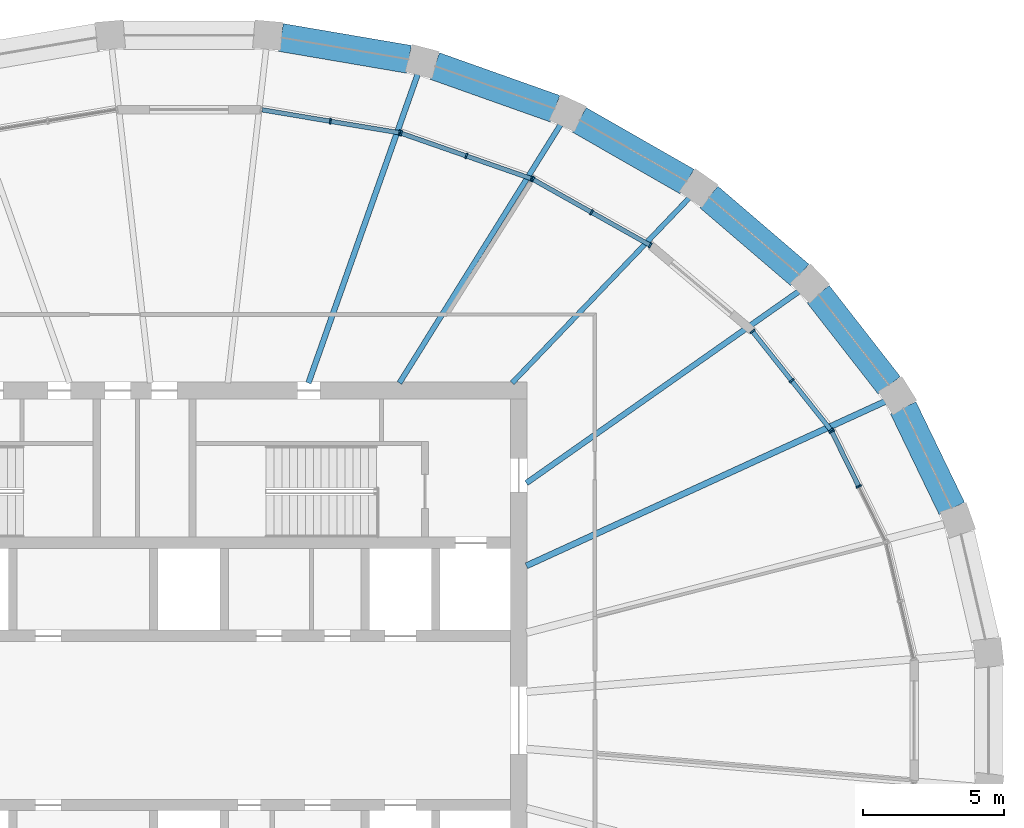
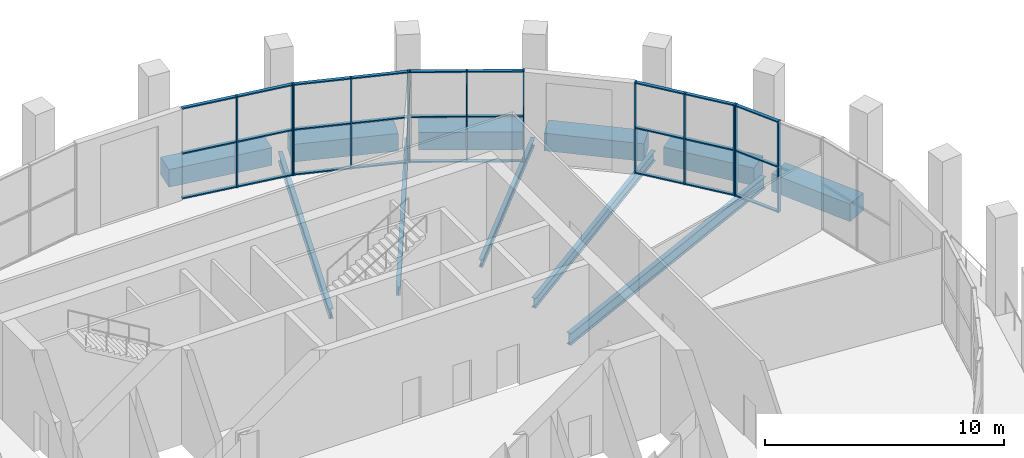
# One storey, part 7 of 15: 40 members, 11 beams, 5 elements without a shape of their own.
"""IFC4 building model written with IfcOpenShell, lengths in metres."""

from ifc_helpers import new_model, si_unit, direction, frame, origin, origin_2d, place, context, subcontext, project, spatial, rectangle, i_section, extrude, material, material_profile, profile_set, type_object, element, aggregate, save


model = new_model("IFC4")

# Units and contexts
model_context = context("Model", 3, precision=1e-05, world=origin(), true_north=direction((0.0, 1.0)))
body_context = subcontext(model_context, "Body", "Model", "MODEL_VIEW")
ifc_project = project(units=[si_unit("LENGTHUNIT", "METRE"), si_unit("AREAUNIT", "SQUARE_METRE"), si_unit("VOLUMEUNIT", "CUBIC_METRE"), si_unit("PLANEANGLEUNIT", "RADIAN"), si_unit("MASSUNIT", "GRAM", prefix="KILO")], contexts=[model_context])

# Site, building, storey
site_placement = place(None, origin())
site = spatial("IfcSite", under=ifc_project, at=site_placement, CompositionType="ELEMENT")
building_placement = place(site_placement, origin())
building = spatial("IfcBuilding", under=site, at=building_placement, Name="Halqa Exchange Tower", CompositionType="ELEMENT")
storey_placement = place(building_placement, frame((0.0, 0.0, 338.300048828125)))
storey = spatial("IfcBuildingStorey", under=building, at=storey_placement, Name="L79", CompositionType="ELEMENT", Elevation=338.300048828125)

# Curtain wall, members
ifc_material_1 = material(Name="Anodised aluminium and clear glass", Category="aluminium")
curtain_wall_type = type_object("IfcCurtainWallType", Name="Executive floor glazing", PredefinedType="NOTDEFINED", material=ifc_material_1)
curtain_wall_1_placement = place(storey_placement, origin())
curtain_wall_1 = element("IfcCurtainWall", 1, at=curtain_wall_1_placement, inside=storey, type_object=curtain_wall_type, Name="Executive floor glazing run G2", PredefinedType="NOTDEFINED")
ifc_material_2 = material(Name="Anodised aluminium", Category="aluminium")
ifc_material_profile_1 = material_profile(ifc_material_2, rectangle(XDim=0.199951171875, YDim=0.06005859375, at=origin_2d()), Name="AL 60x200")
ifc_profile_set_1 = profile_set([ifc_material_profile_1], Name="Anodised aluminium")
member_type_1 = type_object("IfcMemberType", Name="Executive floor glazing mullion 60 x 200", PredefinedType="MULLION", material=ifc_profile_set_1)
member_1_placement = place(storey_placement, frame((23.76416015625, 8.302978515625, 0.0), z_axis=(0.0, 0.0, 1.0), x_axis=(-0.897214741349, -0.441594506199, 0.0)))
member_1 = element("IfcMember", 2, at=member_1_placement, type_object=member_type_1, Name="G2 mullion 2", PredefinedType="MULLION", context=body_context, shape_type="SweptSolid", body=[
    extrude(rectangle(XDim=0.199951171875, YDim=0.06005859375, at=origin_2d()), origin(), (0.0, 0.0, 1.0), 4.64990234375),
])
member_2_placement = place(storey_placement, frame((22.80615234375, 10.24951171875, 0.0), z_axis=(0.0, 0.0, 1.0), x_axis=(-0.897214741349, -0.441594506199, 0.0)))
member_2 = element("IfcMember", 3, at=member_2_placement, type_object=member_type_1, Name="G2 mullion 3", PredefinedType="MULLION", context=body_context, shape_type="SweptSolid", body=[
    extrude(rectangle(XDim=0.199951171875, YDim=0.06005859375, at=origin_2d()), origin(), (0.0, 0.0, 1.0), 4.64990234375),
])

curtain_wall_2_placement = place(storey_placement, origin())
curtain_wall_2 = element("IfcCurtainWall", 4, at=curtain_wall_2_placement, inside=storey, type_object=curtain_wall_type, Name="Executive floor glazing run G3", PredefinedType="NOTDEFINED")
member_3_placement = place(storey_placement, frame((22.774169921875, 10.2998046875, 0.0), z_axis=(0.0, 0.0, 1.0), x_axis=(-0.783162355834, -0.621817275737, 0.0)))
member_3 = element("IfcMember", 5, at=member_3_placement, type_object=member_type_1, Name="G3 mullion 1", PredefinedType="MULLION", context=body_context, shape_type="SweptSolid", body=[
    extrude(rectangle(XDim=0.199951171875, YDim=0.06005859375, at=origin_2d()), origin(), (0.0, 0.0, 1.0), 4.64990234375),
])
member_4_placement = place(storey_placement, frame((21.3837890625, 12.05126953125, 0.0), z_axis=(0.0, 0.0, 1.0), x_axis=(-0.783162355834, -0.621817275737, 0.0)))
member_4 = element("IfcMember", 6, at=member_4_placement, type_object=member_type_1, Name="G3 mullion 2", PredefinedType="MULLION", context=body_context, shape_type="SweptSolid", body=[
    extrude(rectangle(XDim=0.199951171875, YDim=0.06005859375, at=origin_2d()), origin(), (0.0, 0.0, 1.0), 4.64990234375),
])
member_5_placement = place(storey_placement, frame((19.9931640625, 13.802490234375, 0.0), z_axis=(0.0, 0.0, 1.0), x_axis=(-0.783162355834, -0.621817275737, 0.0)))
member_5 = element("IfcMember", 7, at=member_5_placement, type_object=member_type_1, Name="G3 mullion 3", PredefinedType="MULLION", context=body_context, shape_type="SweptSolid", body=[
    extrude(rectangle(XDim=0.199951171875, YDim=0.06005859375, at=origin_2d()), origin(), (0.0, 0.0, 1.0), 4.64990234375),
])

curtain_wall_3_placement = place(storey_placement, origin())
curtain_wall_3 = element("IfcCurtainWall", 8, at=curtain_wall_3_placement, inside=storey, type_object=curtain_wall_type, Name="Executive floor glazing run G5", PredefinedType="NOTDEFINED")
member_6_placement = place(storey_placement, frame((16.363525390625, 16.857666015625, 0.0), z_axis=(0.0, 0.0, 1.0), x_axis=(-0.490158094997, -0.871633547948, 0.0)))
member_6 = element("IfcMember", 9, at=member_6_placement, type_object=member_type_1, Name="G5 mullion 1", PredefinedType="MULLION", context=body_context, shape_type="SweptSolid", body=[
    extrude(rectangle(XDim=0.199951171875, YDim=0.06005859375, at=origin_2d()), origin(), (0.0, 0.0, 1.0), 4.64990234375),
])
member_7_placement = place(storey_placement, frame((14.283203125, 18.02734375, 0.0), z_axis=(0.0, 0.0, 1.0), x_axis=(-0.490158094997, -0.871633547948, 0.0)))
member_7 = element("IfcMember", 10, at=member_7_placement, type_object=member_type_1, Name="G5 mullion 2", PredefinedType="MULLION", context=body_context, shape_type="SweptSolid", body=[
    extrude(rectangle(XDim=0.199951171875, YDim=0.06005859375, at=origin_2d()), origin(), (0.0, 0.0, 1.0), 4.64990234375),
])
member_8_placement = place(storey_placement, frame((12.202880859375, 19.197265625, 0.0), z_axis=(0.0, 0.0, 1.0), x_axis=(-0.490158094997, -0.871633547948, 0.0)))
member_8 = element("IfcMember", 11, at=member_8_placement, type_object=member_type_1, Name="G5 mullion 3", PredefinedType="MULLION", context=body_context, shape_type="SweptSolid", body=[
    extrude(rectangle(XDim=0.199951171875, YDim=0.06005859375, at=origin_2d()), origin(), (0.0, 0.0, 1.0), 4.64990234375),
])

curtain_wall_4_placement = place(storey_placement, origin())
curtain_wall_4 = element("IfcCurtainWall", 12, at=curtain_wall_4_placement, inside=storey, type_object=curtain_wall_type, Name="Executive floor glazing run G6", PredefinedType="NOTDEFINED")
member_9_placement = place(storey_placement, frame((12.1484375, 19.221923828125, 0.0), z_axis=(0.0, 0.0, 1.0), x_axis=(-0.329160021888, -0.9442741551, 0.0)))
member_9 = element("IfcMember", 13, at=member_9_placement, type_object=member_type_1, Name="G6 mullion 1", PredefinedType="MULLION", context=body_context, shape_type="SweptSolid", body=[
    extrude(rectangle(XDim=0.199951171875, YDim=0.06005859375, at=origin_2d()), origin(), (0.0, 0.0, 1.0), 4.64990234375),
])
member_10_placement = place(storey_placement, frame((9.837158203125, 20.027587890625, 0.0), z_axis=(0.0, 0.0, 1.0), x_axis=(-0.329160021888, -0.9442741551, 0.0)))
member_10 = element("IfcMember", 14, at=member_10_placement, type_object=member_type_1, Name="G6 mullion 2", PredefinedType="MULLION", context=body_context, shape_type="SweptSolid", body=[
    extrude(rectangle(XDim=0.199951171875, YDim=0.06005859375, at=origin_2d()), origin(), (0.0, 0.0, 1.0), 4.64990234375),
])
member_11_placement = place(storey_placement, frame((7.52587890625, 20.833251953125, 0.0), z_axis=(0.0, 0.0, 1.0), x_axis=(-0.329160021888, -0.9442741551, 0.0)))
member_11 = element("IfcMember", 15, at=member_11_placement, type_object=member_type_1, Name="G6 mullion 3", PredefinedType="MULLION", context=body_context, shape_type="SweptSolid", body=[
    extrude(rectangle(XDim=0.199951171875, YDim=0.06005859375, at=origin_2d()), origin(), (0.0, 0.0, 1.0), 4.64990234375),
])

curtain_wall_5_placement = place(storey_placement, origin())
curtain_wall_5 = element("IfcCurtainWall", 16, at=curtain_wall_5_placement, inside=storey, type_object=curtain_wall_type, Name="Executive floor glazing run G7", PredefinedType="NOTDEFINED")
member_12_placement = place(storey_placement, frame((7.468017578125, 20.84814453125, 0.0), z_axis=(0.0, 0.0, 1.0), x_axis=(-0.165117129007, -0.986273964834, 0.0)))
member_12 = element("IfcMember", 17, at=member_12_placement, type_object=member_type_1, Name="G7 mullion 1", PredefinedType="MULLION", context=body_context, shape_type="SweptSolid", body=[
    extrude(rectangle(XDim=0.199951171875, YDim=0.06005859375, at=origin_2d()), origin(), (0.0, 0.0, 1.0), 4.64990234375),
])
member_13_placement = place(storey_placement, frame((5.0146484375, 21.2587890625, 0.0), z_axis=(0.0, 0.0, 1.0), x_axis=(-0.165117129007, -0.986273964834, 0.0)))
member_13 = element("IfcMember", 18, at=member_13_placement, type_object=member_type_1, Name="G7 mullion 2", PredefinedType="MULLION", context=body_context, shape_type="SweptSolid", body=[
    extrude(rectangle(XDim=0.199951171875, YDim=0.06005859375, at=origin_2d()), origin(), (0.0, 0.0, 1.0), 4.64990234375),
])

# Member
ifc_material_profile_2 = material_profile(ifc_material_2, rectangle(XDim=0.159912109375, YDim=0.06005859375, at=origin_2d()), Name="AL 60x160")
ifc_profile_set_2 = profile_set([ifc_material_profile_2], Name="Anodised aluminium")
member_type_2 = type_object("IfcMemberType", Name="Executive floor glazing transom 60 x 160", PredefinedType="USERDEFINED", material=ifc_profile_set_2)
member_14_placement = place(storey_placement, frame((23.7509765625, 8.329833984375, 0.030029296875), z_axis=(-0.441603772589, 0.897210180524, 0.0), x_axis=(-0.897210180524, -0.441603772589, 0.0)))
member_14 = element("IfcMember", 19, at=member_14_placement, type_object=member_type_2, Name="G2 transom 2.1", ObjectType="TRANSOM", PredefinedType="USERDEFINED", context=body_context, shape_type="SweptSolid", body=[
    extrude(rectangle(XDim=0.159912109375, YDim=0.06005859375, at=origin_2d()), origin(), (0.0, 0.0, 1.0), 2.109619140625),
])

member_15_placement = place(storey_placement, frame((23.7509765625, 8.329833984375, 2.324951171875), z_axis=(-0.441603772589, 0.897210180524, 0.0), x_axis=(-0.897210180524, -0.441603772589, 0.0)))
member_15 = element("IfcMember", 20, at=member_15_placement, type_object=member_type_2, Name="G2 transom 2.2", ObjectType="TRANSOM", PredefinedType="USERDEFINED", context=body_context, shape_type="SweptSolid", body=[
    extrude(rectangle(XDim=0.159912109375, YDim=0.06005859375, at=origin_2d()), origin(), (0.0, 0.0, 1.0), 2.109619140625),
])

member_16_placement = place(storey_placement, frame((23.7509765625, 8.329833984375, 4.619873046875), z_axis=(-0.441603772589, 0.897210180524, 0.0), x_axis=(-0.897210180524, -0.441603772589, 0.0)))
member_16 = element("IfcMember", 21, at=member_16_placement, type_object=member_type_2, Name="G2 transom 2.3", ObjectType="TRANSOM", PredefinedType="USERDEFINED", context=body_context, shape_type="SweptSolid", body=[
    extrude(rectangle(XDim=0.159912109375, YDim=0.06005859375, at=origin_2d()), origin(), (0.0, 0.0, 1.0), 2.109619140625),
])

aggregate(curtain_wall_1, [member_1, member_2, member_14, member_15, member_16])

member_17_placement = place(storey_placement, frame((22.755615234375, 10.323486328125, 0.030029296875), z_axis=(-0.621831555709, 0.783151017572, 0.0), x_axis=(-0.783151017572, -0.621831555709, 0.0)))
member_17 = element("IfcMember", 22, at=member_17_placement, type_object=member_type_2, Name="G3 transom 1.1", ObjectType="TRANSOM", PredefinedType="USERDEFINED", context=body_context, shape_type="SweptSolid", body=[
    extrude(rectangle(XDim=0.159912109375, YDim=0.06005859375, at=origin_2d()), origin(), (0.0, 0.0, 1.0), 2.17626953125),
])

member_18_placement = place(storey_placement, frame((22.755615234375, 10.323486328125, 2.324951171875), z_axis=(-0.621831555709, 0.783151017572, 0.0), x_axis=(-0.783151017572, -0.621831555709, 0.0)))
member_18 = element("IfcMember", 23, at=member_18_placement, type_object=member_type_2, Name="G3 transom 1.2", ObjectType="TRANSOM", PredefinedType="USERDEFINED", context=body_context, shape_type="SweptSolid", body=[
    extrude(rectangle(XDim=0.159912109375, YDim=0.06005859375, at=origin_2d()), origin(), (0.0, 0.0, 1.0), 2.17626953125),
])

member_19_placement = place(storey_placement, frame((22.755615234375, 10.323486328125, 4.619873046875), z_axis=(-0.621831555709, 0.783151017572, 0.0), x_axis=(-0.783151017572, -0.621831555709, 0.0)))
member_19 = element("IfcMember", 24, at=member_19_placement, type_object=member_type_2, Name="G3 transom 1.3", ObjectType="TRANSOM", PredefinedType="USERDEFINED", context=body_context, shape_type="SweptSolid", body=[
    extrude(rectangle(XDim=0.159912109375, YDim=0.06005859375, at=origin_2d()), origin(), (0.0, 0.0, 1.0), 2.17626953125),
])

member_20_placement = place(storey_placement, frame((21.364990234375, 12.07470703125, 0.030029296875), z_axis=(-0.621831555709, 0.783151017572, 0.0), x_axis=(-0.783151017572, -0.621831555709, 0.0)))
member_20 = element("IfcMember", 25, at=member_20_placement, type_object=member_type_2, Name="G3 transom 2.1", ObjectType="TRANSOM", PredefinedType="USERDEFINED", context=body_context, shape_type="SweptSolid", body=[
    extrude(rectangle(XDim=0.159912109375, YDim=0.06005859375, at=origin_2d()), origin(), (0.0, 0.0, 1.0), 2.17626953125),
])

member_21_placement = place(storey_placement, frame((21.364990234375, 12.07470703125, 2.324951171875), z_axis=(-0.621831555709, 0.783151017572, 0.0), x_axis=(-0.783151017572, -0.621831555709, 0.0)))
member_21 = element("IfcMember", 26, at=member_21_placement, type_object=member_type_2, Name="G3 transom 2.2", ObjectType="TRANSOM", PredefinedType="USERDEFINED", context=body_context, shape_type="SweptSolid", body=[
    extrude(rectangle(XDim=0.159912109375, YDim=0.06005859375, at=origin_2d()), origin(), (0.0, 0.0, 1.0), 2.17626953125),
])

member_22_placement = place(storey_placement, frame((21.364990234375, 12.07470703125, 4.619873046875), z_axis=(-0.621831555709, 0.783151017572, 0.0), x_axis=(-0.783151017572, -0.621831555709, 0.0)))
member_22 = element("IfcMember", 27, at=member_22_placement, type_object=member_type_2, Name="G3 transom 2.3", ObjectType="TRANSOM", PredefinedType="USERDEFINED", context=body_context, shape_type="SweptSolid", body=[
    extrude(rectangle(XDim=0.159912109375, YDim=0.06005859375, at=origin_2d()), origin(), (0.0, 0.0, 1.0), 2.17626953125),
])

aggregate(curtain_wall_2, [member_3, member_4, member_5, member_17, member_18, member_19, member_20, member_21, member_22])

member_23_placement = place(storey_placement, frame((16.33740234375, 16.872314453125, 0.030029296875), z_axis=(-0.871651188235, 0.490126724479, 0.0), x_axis=(-0.490126724479, -0.871651188235, 0.0)))
member_23 = element("IfcMember", 28, at=member_23_placement, type_object=member_type_2, Name="G5 transom 1.1", ObjectType="TRANSOM", PredefinedType="USERDEFINED", context=body_context, shape_type="SweptSolid", body=[
    extrude(rectangle(XDim=0.159912109375, YDim=0.06005859375, at=origin_2d()), origin(), (0.0, 0.0, 1.0), 2.32666015625),
])

member_24_placement = place(storey_placement, frame((16.33740234375, 16.872314453125, 2.324951171875), z_axis=(-0.871651188235, 0.490126724479, 0.0), x_axis=(-0.490126724479, -0.871651188235, 0.0)))
member_24 = element("IfcMember", 29, at=member_24_placement, type_object=member_type_2, Name="G5 transom 1.2", ObjectType="TRANSOM", PredefinedType="USERDEFINED", context=body_context, shape_type="SweptSolid", body=[
    extrude(rectangle(XDim=0.159912109375, YDim=0.06005859375, at=origin_2d()), origin(), (0.0, 0.0, 1.0), 2.32666015625),
])

member_25_placement = place(storey_placement, frame((16.33740234375, 16.872314453125, 4.619873046875), z_axis=(-0.871651188235, 0.490126724479, 0.0), x_axis=(-0.490126724479, -0.871651188235, 0.0)))
member_25 = element("IfcMember", 30, at=member_25_placement, type_object=member_type_2, Name="G5 transom 1.3", ObjectType="TRANSOM", PredefinedType="USERDEFINED", context=body_context, shape_type="SweptSolid", body=[
    extrude(rectangle(XDim=0.159912109375, YDim=0.06005859375, at=origin_2d()), origin(), (0.0, 0.0, 1.0), 2.32666015625),
])

member_26_placement = place(storey_placement, frame((14.257080078125, 18.042236328125, 0.030029296875), z_axis=(-0.871651188235, 0.490126724479, 0.0), x_axis=(-0.490126724479, -0.871651188235, 0.0)))
member_26 = element("IfcMember", 31, at=member_26_placement, type_object=member_type_2, Name="G5 transom 2.1", ObjectType="TRANSOM", PredefinedType="USERDEFINED", context=body_context, shape_type="SweptSolid", body=[
    extrude(rectangle(XDim=0.159912109375, YDim=0.06005859375, at=origin_2d()), origin(), (0.0, 0.0, 1.0), 2.32666015625),
])

member_27_placement = place(storey_placement, frame((14.257080078125, 18.042236328125, 2.324951171875), z_axis=(-0.871651188235, 0.490126724479, 0.0), x_axis=(-0.490126724479, -0.871651188235, 0.0)))
member_27 = element("IfcMember", 32, at=member_27_placement, type_object=member_type_2, Name="G5 transom 2.2", ObjectType="TRANSOM", PredefinedType="USERDEFINED", context=body_context, shape_type="SweptSolid", body=[
    extrude(rectangle(XDim=0.159912109375, YDim=0.06005859375, at=origin_2d()), origin(), (0.0, 0.0, 1.0), 2.32666015625),
])

member_28_placement = place(storey_placement, frame((14.257080078125, 18.042236328125, 4.619873046875), z_axis=(-0.871651188235, 0.490126724479, 0.0), x_axis=(-0.490126724479, -0.871651188235, 0.0)))
member_28 = element("IfcMember", 33, at=member_28_placement, type_object=member_type_2, Name="G5 transom 2.3", ObjectType="TRANSOM", PredefinedType="USERDEFINED", context=body_context, shape_type="SweptSolid", body=[
    extrude(rectangle(XDim=0.159912109375, YDim=0.06005859375, at=origin_2d()), origin(), (0.0, 0.0, 1.0), 2.32666015625),
])

aggregate(curtain_wall_3, [member_6, member_7, member_8, member_23, member_24, member_25, member_26, member_27, member_28])

member_29_placement = place(storey_placement, frame((12.1201171875, 19.231689453125, 0.030029296875), z_axis=(-0.9442800212, 0.329143193096, 0.0), x_axis=(-0.329143193096, -0.9442800212, 0.0)))
member_29 = element("IfcMember", 34, at=member_29_placement, type_object=member_type_2, Name="G6 transom 1.1", ObjectType="TRANSOM", PredefinedType="USERDEFINED", context=body_context, shape_type="SweptSolid", body=[
    extrude(rectangle(XDim=0.159912109375, YDim=0.06005859375, at=origin_2d()), origin(), (0.0, 0.0, 1.0), 2.3876953125),
])

member_30_placement = place(storey_placement, frame((12.1201171875, 19.231689453125, 2.324951171875), z_axis=(-0.9442800212, 0.329143193096, 0.0), x_axis=(-0.329143193096, -0.9442800212, 0.0)))
member_30 = element("IfcMember", 35, at=member_30_placement, type_object=member_type_2, Name="G6 transom 1.2", ObjectType="TRANSOM", PredefinedType="USERDEFINED", context=body_context, shape_type="SweptSolid", body=[
    extrude(rectangle(XDim=0.159912109375, YDim=0.06005859375, at=origin_2d()), origin(), (0.0, 0.0, 1.0), 2.3876953125),
])

member_31_placement = place(storey_placement, frame((12.1201171875, 19.231689453125, 4.619873046875), z_axis=(-0.9442800212, 0.329143193096, 0.0), x_axis=(-0.329143193096, -0.9442800212, 0.0)))
member_31 = element("IfcMember", 36, at=member_31_placement, type_object=member_type_2, Name="G6 transom 1.3", ObjectType="TRANSOM", PredefinedType="USERDEFINED", context=body_context, shape_type="SweptSolid", body=[
    extrude(rectangle(XDim=0.159912109375, YDim=0.06005859375, at=origin_2d()), origin(), (0.0, 0.0, 1.0), 2.3876953125),
])

member_32_placement = place(storey_placement, frame((9.808837890625, 20.037353515625, 0.030029296875), z_axis=(-0.9442800212, 0.329143193096, 0.0), x_axis=(-0.329143193096, -0.9442800212, 0.0)))
member_32 = element("IfcMember", 37, at=member_32_placement, type_object=member_type_2, Name="G6 transom 2.1", ObjectType="TRANSOM", PredefinedType="USERDEFINED", context=body_context, shape_type="SweptSolid", body=[
    extrude(rectangle(XDim=0.159912109375, YDim=0.06005859375, at=origin_2d()), origin(), (0.0, 0.0, 1.0), 2.3876953125),
])

member_33_placement = place(storey_placement, frame((9.808837890625, 20.037353515625, 2.324951171875), z_axis=(-0.9442800212, 0.329143193096, 0.0), x_axis=(-0.329143193096, -0.9442800212, 0.0)))
member_33 = element("IfcMember", 38, at=member_33_placement, type_object=member_type_2, Name="G6 transom 2.2", ObjectType="TRANSOM", PredefinedType="USERDEFINED", context=body_context, shape_type="SweptSolid", body=[
    extrude(rectangle(XDim=0.159912109375, YDim=0.06005859375, at=origin_2d()), origin(), (0.0, 0.0, 1.0), 2.3876953125),
])

member_34_placement = place(storey_placement, frame((9.808837890625, 20.037353515625, 4.619873046875), z_axis=(-0.9442800212, 0.329143193096, 0.0), x_axis=(-0.329143193096, -0.9442800212, 0.0)))
member_34 = element("IfcMember", 39, at=member_34_placement, type_object=member_type_2, Name="G6 transom 2.3", ObjectType="TRANSOM", PredefinedType="USERDEFINED", context=body_context, shape_type="SweptSolid", body=[
    extrude(rectangle(XDim=0.159912109375, YDim=0.06005859375, at=origin_2d()), origin(), (0.0, 0.0, 1.0), 2.3876953125),
])

aggregate(curtain_wall_4, [member_9, member_10, member_11, member_29, member_30, member_31, member_32, member_33, member_34])

member_35_placement = place(storey_placement, frame((7.4384765625, 20.85302734375, 0.030029296875), z_axis=(-0.986271338279, 0.165132817116, 0.0), x_axis=(-0.165132817116, -0.986271338279, 0.0)))
member_35 = element("IfcMember", 40, at=member_35_placement, type_object=member_type_2, Name="G7 transom 1.1", ObjectType="TRANSOM", PredefinedType="USERDEFINED", context=body_context, shape_type="SweptSolid", body=[
    extrude(rectangle(XDim=0.159912109375, YDim=0.06005859375, at=origin_2d()), origin(), (0.0, 0.0, 1.0), 2.427734375),
])

member_36_placement = place(storey_placement, frame((7.4384765625, 20.85302734375, 2.324951171875), z_axis=(-0.986271338279, 0.165132817116, 0.0), x_axis=(-0.165132817116, -0.986271338279, 0.0)))
member_36 = element("IfcMember", 41, at=member_36_placement, type_object=member_type_2, Name="G7 transom 1.2", ObjectType="TRANSOM", PredefinedType="USERDEFINED", context=body_context, shape_type="SweptSolid", body=[
    extrude(rectangle(XDim=0.159912109375, YDim=0.06005859375, at=origin_2d()), origin(), (0.0, 0.0, 1.0), 2.427734375),
])

member_37_placement = place(storey_placement, frame((7.4384765625, 20.85302734375, 4.619873046875), z_axis=(-0.986271338279, 0.165132817116, 0.0), x_axis=(-0.165132817116, -0.986271338279, 0.0)))
member_37 = element("IfcMember", 42, at=member_37_placement, type_object=member_type_2, Name="G7 transom 1.3", ObjectType="TRANSOM", PredefinedType="USERDEFINED", context=body_context, shape_type="SweptSolid", body=[
    extrude(rectangle(XDim=0.159912109375, YDim=0.06005859375, at=origin_2d()), origin(), (0.0, 0.0, 1.0), 2.427734375),
])

member_38_placement = place(storey_placement, frame((4.98486328125, 21.263671875, 0.030029296875), z_axis=(-0.986271338279, 0.165132817116, 0.0), x_axis=(-0.165132817116, -0.986271338279, 0.0)))
member_38 = element("IfcMember", 43, at=member_38_placement, type_object=member_type_2, Name="G7 transom 2.1", ObjectType="TRANSOM", PredefinedType="USERDEFINED", context=body_context, shape_type="SweptSolid", body=[
    extrude(rectangle(XDim=0.159912109375, YDim=0.06005859375, at=origin_2d()), origin(), (0.0, 0.0, 1.0), 2.427734375),
])

member_39_placement = place(storey_placement, frame((4.98486328125, 21.263671875, 2.324951171875), z_axis=(-0.986271338279, 0.165132817116, 0.0), x_axis=(-0.165132817116, -0.986271338279, 0.0)))
member_39 = element("IfcMember", 44, at=member_39_placement, type_object=member_type_2, Name="G7 transom 2.2", ObjectType="TRANSOM", PredefinedType="USERDEFINED", context=body_context, shape_type="SweptSolid", body=[
    extrude(rectangle(XDim=0.159912109375, YDim=0.06005859375, at=origin_2d()), origin(), (0.0, 0.0, 1.0), 2.427734375),
])

member_40_placement = place(storey_placement, frame((4.98486328125, 21.263671875, 4.619873046875), z_axis=(-0.986271338279, 0.165132817116, 0.0), x_axis=(-0.165132817116, -0.986271338279, 0.0)))
member_40 = element("IfcMember", 45, at=member_40_placement, type_object=member_type_2, Name="G7 transom 2.3", ObjectType="TRANSOM", PredefinedType="USERDEFINED", context=body_context, shape_type="SweptSolid", body=[
    extrude(rectangle(XDim=0.159912109375, YDim=0.06005859375, at=origin_2d()), origin(), (0.0, 0.0, 1.0), 2.427734375),
])

aggregate(curtain_wall_5, [member_12, member_13, member_35, member_36, member_37, member_38, member_39, member_40])

# Beams
ifc_material_3 = material(Name="Steel S355", Category="steel")
ifc_material_profile_3 = material_profile(ifc_material_3, i_section(OverallWidth=0.179931640625, OverallDepth=0.39990234375, WebThickness=0.008544921875, FlangeThickness=0.013427734375, FilletRadius=0.02099609375, at=origin_2d()), Name="IPE 400")
ifc_profile_set_3 = profile_set([ifc_material_profile_3], Name="Steel S355")
beam_type_1 = type_object("IfcBeamType", Name="Floor beam IPE 400", PredefinedType="BEAM", material=ifc_profile_set_3)
beam_1_placement = place(storey_placement, frame((11.46240234375, 11.9716796875, -0.550048828125), z_axis=(0.691577100122, 0.722302647501, 0.0), x_axis=(-0.722302647501, 0.691577100122, 0.0)))
element("IfcBeam", 46, at=beam_1_placement, inside=storey, type_object=beam_type_1, Name="Radial beam 5", PredefinedType="BEAM", context=body_context, shape_type="SweptSolid", body=[
    extrude(i_section(OverallWidth=0.179931640625, OverallDepth=0.39990234375, WebThickness=0.008544921875, FlangeThickness=0.013427734375, FilletRadius=0.02099609375, at=origin_2d()), origin(), (0.0, 0.0, 1.0), 9.193359375),
])
ifc_material_profile_4 = material_profile(ifc_material_3, i_section(OverallWidth=0.18994140625, OverallDepth=0.449951171875, WebThickness=0.009521484375, FlangeThickness=0.0146484375, FilletRadius=0.02099609375, at=origin_2d()), Name="IPE 450")
ifc_profile_set_4 = profile_set([ifc_material_profile_4], Name="Steel S355")
beam_type_2 = type_object("IfcBeamType", Name="Floor beam IPE 450", PredefinedType="BEAM", material=ifc_profile_set_4)
beam_2_placement = place(storey_placement, frame((7.46630859375, 11.972900390625, -0.574951171875), z_axis=(0.529135242535, 0.848537503654, 0.0), x_axis=(-0.848537503654, 0.529135242535, 0.0)))
element("IfcBeam", 47, at=beam_2_placement, inside=storey, type_object=beam_type_2, Name="Radial beam 6", PredefinedType="BEAM", context=body_context, shape_type="SweptSolid", body=[
    extrude(i_section(OverallWidth=0.18994140625, OverallDepth=0.449951171875, WebThickness=0.009521484375, FlangeThickness=0.0146484375, FilletRadius=0.02099609375, at=origin_2d()), origin(), (0.0, 0.0, 1.0), 10.90380859375),
])
ifc_material_profile_5 = material_profile(ifc_material_3, i_section(OverallWidth=0.199951171875, OverallDepth=0.5, WebThickness=0.01025390625, FlangeThickness=0.01611328125, FilletRadius=0.02099609375, at=origin_2d()), Name="IPE 500")
ifc_profile_set_5 = profile_set([ifc_material_profile_5], Name="Steel S355")
beam_type_3 = type_object("IfcBeamType", Name="Floor beam IPE 500", PredefinedType="BEAM", material=ifc_profile_set_5)
beam_3_placement = place(storey_placement, frame((11.971435546875, 8.421142578125, -0.60009765625), z_axis=(0.817909915289, 0.575346304822, 0.0), x_axis=(-0.575346304822, 0.817909915289, 0.0)))
element("IfcBeam", 48, at=beam_3_placement, inside=storey, type_object=beam_type_3, Name="Radial beam 4", PredefinedType="BEAM", context=body_context, shape_type="SweptSolid", body=[
    extrude(i_section(OverallWidth=0.199951171875, OverallDepth=0.5, WebThickness=0.01025390625, FlangeThickness=0.01611328125, FilletRadius=0.02099609375, at=origin_2d()), origin(), (0.0, 0.0, 1.0), 11.923095703125),
])
beam_4_placement = place(storey_placement, frame((4.237060546875, 11.97216796875, -0.60009765625), z_axis=(0.333610824629, 0.942710887648, 0.0), x_axis=(-0.942710887648, 0.333610824629, 0.0)))
element("IfcBeam", 49, at=beam_4_placement, inside=storey, type_object=beam_type_3, Name="Radial beam 7", PredefinedType="BEAM", context=body_context, shape_type="SweptSolid", body=[
    extrude(i_section(OverallWidth=0.199951171875, OverallDepth=0.5, WebThickness=0.01025390625, FlangeThickness=0.01611328125, FilletRadius=0.02099609375, at=origin_2d()), origin(), (0.0, 0.0, 1.0), 11.7236328125),
])
ifc_material_profile_6 = material_profile(ifc_material_3, i_section(OverallWidth=0.219970703125, OverallDepth=0.60009765625, WebThickness=0.011962890625, FlangeThickness=0.01904296875, FilletRadius=0.02392578125, at=origin_2d()), Name="IPE 600")
ifc_profile_set_6 = profile_set([ifc_material_profile_6], Name="Steel S355")
beam_type_4 = type_object("IfcBeamType", Name="Floor beam IPE 600", PredefinedType="BEAM", material=ifc_profile_set_6)
beam_5_placement = place(storey_placement, frame((11.97216796875, 5.485107421875, -0.650146484375), z_axis=(0.909129837919, 0.416512830302, 0.0), x_axis=(-0.416512830302, 0.909129837919, 0.0)))
element("IfcBeam", 50, at=beam_5_placement, inside=storey, type_object=beam_type_4, Name="Radial beam 3", PredefinedType="BEAM", context=body_context, shape_type="SweptSolid", body=[
    extrude(i_section(OverallWidth=0.219970703125, OverallDepth=0.60009765625, WebThickness=0.011962890625, FlangeThickness=0.01904296875, FilletRadius=0.02392578125, at=origin_2d()), origin(), (0.0, 0.0, 1.0), 14.102294921875),
])
ifc_material_4 = material(Name="Concrete C60/75", Category="concrete")
ifc_material_profile_7 = material_profile(ifc_material_4, rectangle(XDim=1.0, YDim=0.89990234375, at=origin_2d()), Name="1000 x 900")
ifc_profile_set_7 = profile_set([ifc_material_profile_7], Name="Concrete C60/75")
beam_type_5 = type_object("IfcBeamType", Name="RC spandrel beam 1000 x 900 C60/75", PredefinedType="SPANDREL", material=ifc_profile_set_7)
beam_6_placement = place(storey_placement, frame((27.06591796875, 7.519287109375, -0.449951171875), z_axis=(-0.43505216676, 0.900405248873, 0.0), x_axis=(-0.900405248873, -0.43505216676, 0.0)))
element("IfcBeam", 51, at=beam_6_placement, inside=storey, type_object=beam_type_5, Name="Spandrel 2", PredefinedType="SPANDREL", context=body_context, shape_type="SweptSolid", body=[
    extrude(rectangle(XDim=1.0, YDim=0.89990234375, at=origin_2d()), origin(), (0.0, 0.0, 1.0), 3.964111328125),
])
beam_7_placement = place(storey_placement, frame((24.8427734375, 11.89013671875, -0.449951171875), z_axis=(-0.61480594236, 0.788678421943, 0.0), x_axis=(-0.788678421943, -0.61480594236, 0.0)))
element("IfcBeam", 52, at=beam_7_placement, inside=storey, type_object=beam_type_5, Name="Spandrel 3", PredefinedType="SPANDREL", context=body_context, shape_type="SweptSolid", body=[
    extrude(rectangle(XDim=1.0, YDim=0.89990234375, at=origin_2d()), origin(), (0.0, 0.0, 1.0), 4.10009765625),
])
beam_8_placement = place(storey_placement, frame((21.670654296875, 15.805908203125, -0.449951171875), z_axis=(-0.759232294843, 0.65081973116, 0.0), x_axis=(-0.65081973116, -0.759232294843, 0.0)))
element("IfcBeam", 53, at=beam_8_placement, inside=storey, type_object=beam_type_5, Name="Spandrel 4", PredefinedType="SPANDREL", context=body_context, shape_type="SweptSolid", body=[
    extrude(rectangle(XDim=1.0, YDim=0.89990234375, at=origin_2d()), origin(), (0.0, 0.0, 1.0), 4.25390625),
])
beam_9_placement = place(storey_placement, frame((17.669189453125, 19.119140625, -0.449951171875), z_axis=(-0.86778573249, 0.49693855001, 0.0), x_axis=(-0.49693855001, -0.86778573249, 0.0)))
element("IfcBeam", 54, at=beam_9_placement, inside=storey, type_object=beam_type_5, Name="Spandrel 5", PredefinedType="SPANDREL", context=body_context, shape_type="SweptSolid", body=[
    extrude(rectangle(XDim=1.0, YDim=0.89990234375, at=origin_2d()), origin(), (0.0, 0.0, 1.0), 4.40478515625),
])
beam_10_placement = place(storey_placement, frame((12.98828125, 21.70263671875, -0.449951171875), z_axis=(-0.94236088808, 0.334598201755, 0.0), x_axis=(-0.334598201755, -0.94236088808, 0.0)))
element("IfcBeam", 55, at=beam_10_placement, inside=storey, type_object=beam_type_5, Name="Spandrel 6", PredefinedType="SPANDREL", context=body_context, shape_type="SweptSolid", body=[
    extrude(rectangle(XDim=1.0, YDim=0.89990234375, at=origin_2d()), origin(), (0.0, 0.0, 1.0), 4.530517578125),
])
beam_11_placement = place(storey_placement, frame((7.805419921875, 23.456298828125, -0.449951171875), z_axis=(-0.985773042695, 0.168081849987, 0.0), x_axis=(-0.168081849987, -0.985773042695, 0.0)))
element("IfcBeam", 56, at=beam_11_placement, inside=storey, type_object=beam_type_5, Name="Spandrel 7", PredefinedType="SPANDREL", context=body_context, shape_type="SweptSolid", body=[
    extrude(rectangle(XDim=1.0, YDim=0.89990234375, at=origin_2d()), origin(), (0.0, 0.0, 1.0), 4.6103515625),
])

save(model, "model.ifc")
